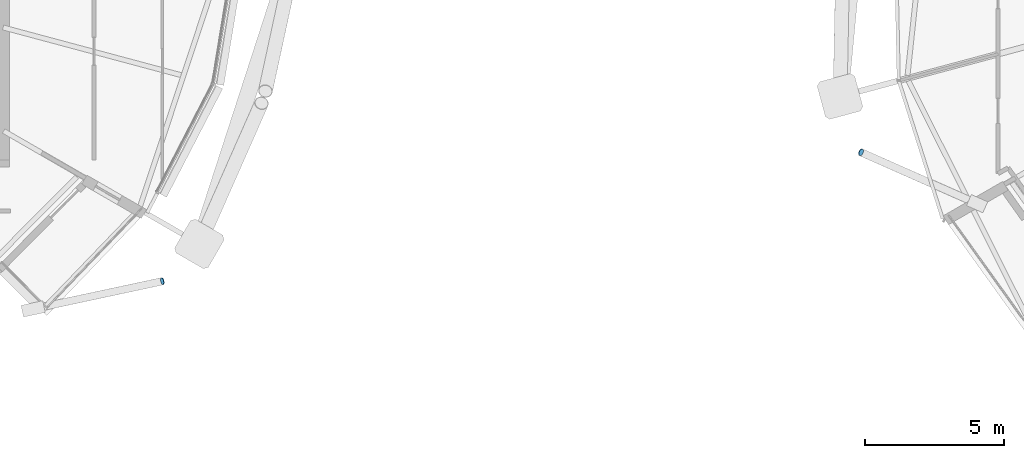
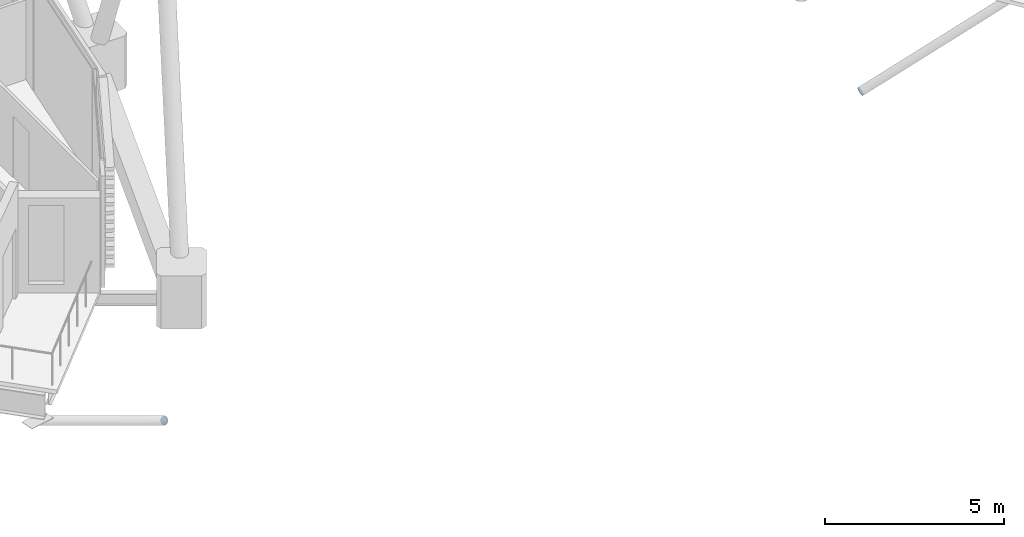
# One storey, part 26 of 32: 2 discrete accessories.
"""IFC4 building model written with IfcOpenShell, lengths in metres."""

import ifcopenshell
import ifcopenshell.guid

model = None  # the IFC model being written
_history = None  # IfcOwnerHistory: only IFC2X3 demands one
_inside = {}  # id of a spatial element -> (the spatial element, [elements in it])
_under = {}  # id of a project, library or spatial element -> (it, [spatial elements below it])
_declared = {}  # id of a project -> (the project, [libraries it declares])
_typed = {}  # id of a type object -> (the type object, [elements of that type])
_made_of = {}  # id of a material, layer set ... -> (it, [elements and type objects made of it])


def new_model(schema):
    """Start an empty IFC model of exactly this schema.

    Asked for "IFC4X3", IfcOpenShell would pick the latest addendum, in which some entities
    have other attributes; the version numbers below select the first issue.
    IFC2X3 requires an IfcOwnerHistory on every rooted entity: one is made here for all.
    """
    global model, _history
    if schema == "IFC4X3":
        model = ifcopenshell.file(schema_version=(4, 3, 0, 0))
    else:
        model = ifcopenshell.file(schema=schema)
    _inside.clear()
    _under.clear()
    _declared.clear()
    _typed.clear()
    _made_of.clear()
    _history = None
    if model.schema == "IFC2X3":
        org = make("IfcOrganization", Name="unknown")
        user = make(
            "IfcPersonAndOrganization",
            ThePerson=make("IfcPerson", FamilyName="unknown"),
            TheOrganization=org,
        )
        app = make(
            "IfcApplication",
            ApplicationDeveloper=org,
            Version="unknown",
            ApplicationFullName="unknown",
            ApplicationIdentifier="unknown",
        )
        _history = make(
            "IfcOwnerHistory",
            OwningUser=user,
            OwningApplication=app,
            ChangeAction="ADDED",
            CreationDate=0,
        )
    return model


def make(cls, **values):
    """One entity of the class cls with the attributes given. An attribute that is None is left unset."""
    return model.create_entity(
        cls, **{name: value for name, value in values.items() if value is not None}
    )


def rooted(cls, **values):
    """An entity with a GlobalId (a new one), such as an element, a storey or a relation."""
    return make(cls, GlobalId=ifcopenshell.guid.new(), OwnerHistory=_history, **values)


def si_unit(unit_type, name, prefix=None):
    """IfcSIUnit, for example si_unit("LENGTHUNIT", "METRE", prefix="MILLI")."""
    return make("IfcSIUnit", UnitType=unit_type, Prefix=prefix, Name=name)


def assignment(units):
    """IfcUnitAssignment: the units of a project."""
    return None if units is None else make("IfcUnitAssignment", Units=units)


def point(xyz):
    """IfcCartesianPoint."""
    return None if xyz is None else make("IfcCartesianPoint", Coordinates=xyz)


def direction(xyz):
    """IfcDirection."""
    return None if xyz is None else make("IfcDirection", DirectionRatios=xyz)


def frame(location, z_axis=None, x_axis=None):
    """IfcAxis2Placement3D, a coordinate frame: its origin and axes. An axis left out is left unset."""
    return make(
        "IfcAxis2Placement3D",
        Location=point(location),
        Axis=direction(z_axis),
        RefDirection=direction(x_axis),
    )


def frame_2d(location, x_axis=None):
    """IfcAxis2Placement2D, a coordinate frame in the plane: its origin and x axis."""
    return make(
        "IfcAxis2Placement2D", Location=point(location), RefDirection=direction(x_axis)
    )


def origin():
    """The frame at (0, 0, 0) with its axes left unset."""
    return frame((0.0, 0.0, 0.0))


def origin_2d():
    """The frame at (0, 0) in the plane with its x axis left unset."""
    return frame_2d((0.0, 0.0))


def place(relative_to, where):
    """IfcLocalPlacement: puts the frame where relative to a parent placement (None: the world)."""
    return make(
        "IfcLocalPlacement", PlacementRelTo=relative_to, RelativePlacement=where
    )


def context(
    kind, dimensions, precision=None, world=None, true_north=None, identifier=None
):
    """IfcGeometricRepresentationContext, for example the 3D "Model" context."""
    return make(
        "IfcGeometricRepresentationContext",
        ContextIdentifier=identifier,
        ContextType=kind,
        CoordinateSpaceDimension=dimensions,
        Precision=precision,
        WorldCoordinateSystem=world,
        TrueNorth=true_north,
    )


def subcontext(parent, identifier, kind, view, scale=None):
    """IfcGeometricRepresentationSubContext, for example "Body" below "Model"."""
    return make(
        "IfcGeometricRepresentationSubContext",
        ContextIdentifier=identifier,
        ContextType=kind,
        ParentContext=parent,
        TargetScale=scale,
        TargetView=view,
    )


def project(units=None, contexts=None):
    """IfcProject with its units and contexts."""
    return rooted(
        "IfcProject",
        Name="project",
        RepresentationContexts=contexts,
        UnitsInContext=assignment(units),
    )


def spatial(cls, under=None, at=None, **own):
    """A site, building, storey or space (cls), placed at a placement, below another one or the project."""
    s = rooted(cls, ObjectPlacement=at, **own)
    if under is not None:
        _under.setdefault(under.id(), (under, []))[1].append(s)
    return s


def profile(cls, at=None, kind="AREA", **sizes):
    """A parametric profile (cls). Its sizes go by their IFC names, for example OverallWidth=200.0."""
    return make(cls, ProfileType=kind, Position=at, **sizes)


def circle(**sizes):
    """IfcCircleProfileDef."""
    return profile("IfcCircleProfileDef", **sizes)


def extrude(swept, where, along, depth):
    """IfcExtrudedAreaSolid: the profile swept, set in the frame where, extruded along a direction by depth."""
    return make(
        "IfcExtrudedAreaSolid",
        SweptArea=swept,
        Position=where,
        ExtrudedDirection=direction(along),
        Depth=depth,
    )


def shape(context_of_items, identifier, shape_type, items):
    """IfcShapeRepresentation: the items that make up one representation, for example the "Body"."""
    return make(
        "IfcShapeRepresentation",
        ContextOfItems=context_of_items,
        RepresentationIdentifier=identifier,
        RepresentationType=shape_type,
        Items=items,
    )


def material(Name=None, Category=None):
    """IfcMaterial."""
    return make("IfcMaterial", Name=Name, Category=Category)


def material_profile(
    of_material, cross_section, Name=None, Category=None, Priority=None
):
    """IfcMaterialProfile: a cross section and its material."""
    return make(
        "IfcMaterialProfile",
        Name=Name,
        Material=of_material,
        Profile=cross_section,
        Priority=Priority,
        Category=Category,
    )


def profile_set(profiles, Name=None, composite=None):
    """IfcMaterialProfileSet."""
    return make(
        "IfcMaterialProfileSet",
        Name=Name,
        MaterialProfiles=profiles,
        CompositeProfile=composite,
    )


def made_of(thing, what):
    """Note that an element or type object is made of a material, layer set ...; save() writes the relation."""
    if what is not None:
        _made_of.setdefault(what.id(), (what, []))[1].append(thing)
    return thing


def type_object(cls, material=None, **own):
    """A type object (cls), such as IfcWallType, which elements share."""
    return made_of(rooted(cls, **own), material)


def element(
    cls,
    number,
    at=None,
    inside=None,
    cuts=None,
    type_object=None,
    material=None,
    context=None,
    identifier="Body",
    shape_type=None,
    held_by="IfcProductDefinitionShape",
    body=None,
    shapes=None,
    **own,
):
    """One element of the class cls, such as IfcWall. Its Tag is "e" and its number.

    at: its placement. inside: the storey or other place that contains it. cuts: it is an
    opening in that element (IfcRelVoidsElement). A single representation is given by context,
    identifier, shape_type and body (its items); several are given by shapes. held_by: the class
    of the entity that holds the representations. save() writes the other relations.
    """
    e = rooted(cls, Tag="e%d" % number, ObjectPlacement=at, **own)
    if body is not None:
        shapes = [shape(context, identifier, shape_type, body)]
    if shapes is not None:
        e.Representation = make(held_by, Representations=shapes)
    if inside is not None:
        _inside.setdefault(inside.id(), (inside, []))[1].append(e)
    if cuts is not None:
        rooted(
            "IfcRelVoidsElement", RelatingBuildingElement=cuts, RelatedOpeningElement=e
        )
    if type_object is not None:
        _typed.setdefault(type_object.id(), (type_object, []))[1].append(e)
    return made_of(e, material)


def aggregate(whole, parts):
    """IfcRelAggregates: a whole, such as a stair, and the parts it consists of."""
    return rooted("IfcRelAggregates", RelatingObject=whole, RelatedObjects=parts)


def save(model, path):
    """Write the relations noted so far, then the file.

    IfcRelAggregates (storeys below a building ...), IfcRelContainedInSpatialStructure (elements
    in a storey), IfcRelDefinesByType, IfcRelAssociatesMaterial and IfcRelDeclares: one each for
    every whole, place, type object, material and project.
    """
    for whole, parts in _under.values():
        aggregate(whole, parts)
    for where, things in _inside.values():
        rooted(
            "IfcRelContainedInSpatialStructure",
            RelatedElements=things,
            RelatingStructure=where,
        )
    for kind, things in _typed.values():
        rooted("IfcRelDefinesByType", RelatedObjects=things, RelatingType=kind)
    for what, things in _made_of.values():
        rooted("IfcRelAssociatesMaterial", RelatedObjects=things, RelatingMaterial=what)
    for by, libraries in _declared.values():
        rooted("IfcRelDeclares", RelatingContext=by, RelatedDefinitions=libraries)
    model.write(path)


model = new_model("IFC4")

# Units and contexts
model_context = context("Model", 3, precision=1e-05, world=origin(), true_north=direction((0.0, 1.0)))
body_context = subcontext(model_context, "Body", "Model", "MODEL_VIEW")
ifc_project = project(units=[si_unit("LENGTHUNIT", "METRE"), si_unit("AREAUNIT", "SQUARE_METRE"), si_unit("VOLUMEUNIT", "CUBIC_METRE"), si_unit("PLANEANGLEUNIT", "RADIAN"), si_unit("MASSUNIT", "GRAM", prefix="KILO")], contexts=[model_context])

# Site, building, storey
site_placement = place(None, origin())
site = spatial("IfcSite", under=ifc_project, at=site_placement, CompositionType="ELEMENT")
building_placement = place(site_placement, origin())
building = spatial("IfcBuilding", under=site, at=building_placement, Name="Rimbun Link Towers", CompositionType="ELEMENT")
storey_placement = place(building_placement, frame((0.0, 0.0, 233.300048828125)))
storey = spatial("IfcBuildingStorey", under=building, at=storey_placement, Name="L57", CompositionType="ELEMENT", Elevation=233.300048828125)

# Discrete accessories
ifc_material = material(Name="Steel S355J2H", Category="steel")
ifc_material_profile = material_profile(ifc_material, circle(Radius=0.1240234375, at=origin_2d()), Name="PL D248")
ifc_profile_set = profile_set([ifc_material_profile], Name="Steel S355J2H")
discrete_accessory_type = type_object("IfcDiscreteAccessoryType", Name="Link foot sealing plate D248X20", PredefinedType="BRACKET", material=ifc_profile_set)
discrete_accessory_1_placement = place(storey_placement, frame((-13.990966796875, -12.372314453125, -3.239013671875), z_axis=(0.884604825616, 0.193885989176, -0.424125601323), x_axis=(-0.214095921407, 0.976812641419, 0.0)))
element("IfcDiscreteAccessory", 1, at=discrete_accessory_1_placement, inside=storey, type_object=discrete_accessory_type, Name="Link foot sealing plate T1 L57 21", PredefinedType="BRACKET", context=body_context, shape_type="SweptSolid", body=[
    extrude(circle(Radius=0.1240234375, at=origin_2d()), origin(), (0.0, 0.0, 1.0), 0.020263671875),
])
discrete_accessory_2_placement = place(storey_placement, frame((11.20849609375, -7.725830078125, -3.63427734375), z_axis=(-0.752857526968, 0.327857310131, -0.570714576895), x_axis=(-0.39926676728, -0.916834798939, 0.0)))
element("IfcDiscreteAccessory", 2, at=discrete_accessory_2_placement, inside=storey, type_object=discrete_accessory_type, Name="Link foot sealing plate T2 L57 11", PredefinedType="BRACKET", context=body_context, shape_type="SweptSolid", body=[
    extrude(circle(Radius=0.1240234375, at=origin_2d()), origin(), (0.0, 0.0, 1.0), 0.02001953125),
])

save(model, "model.ifc")
